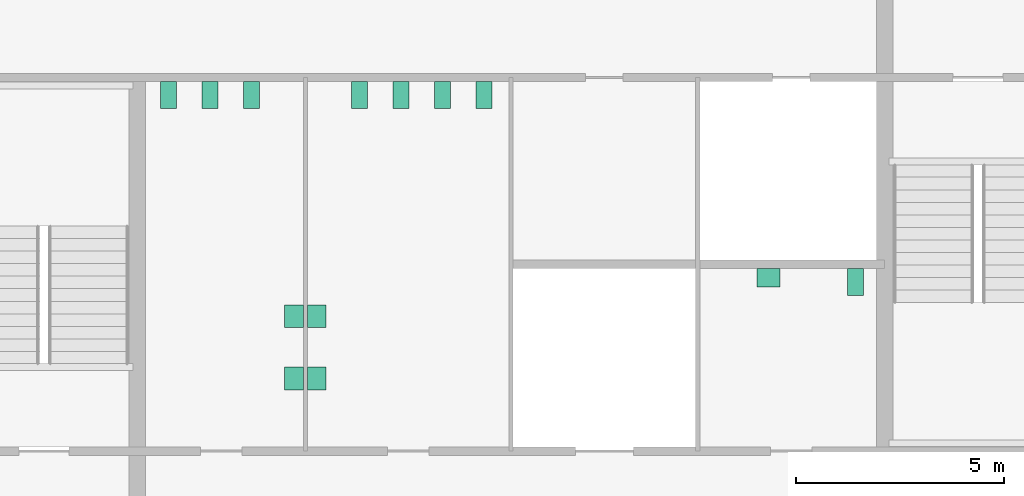
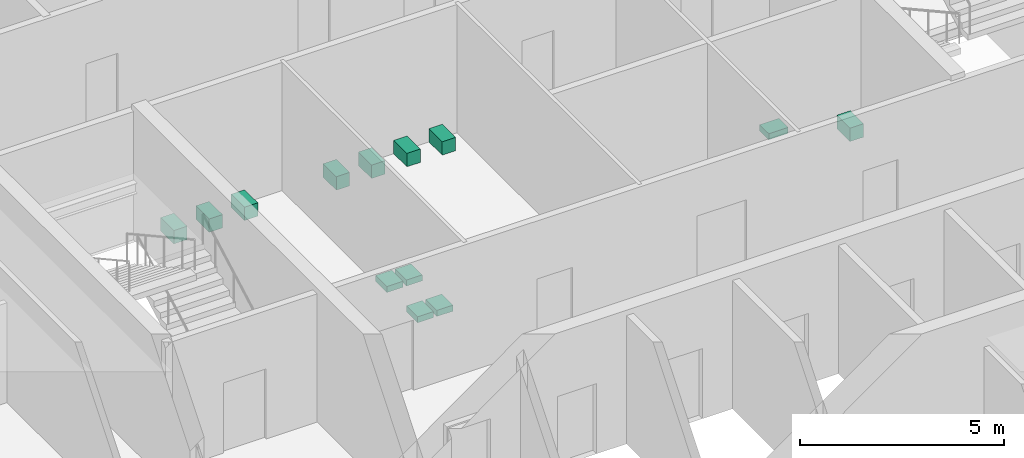
# One storey, part 14 of 14: 13 sanitary terminals.
"""IFC4 building model written with IfcOpenShell, lengths in metres."""

import ifcopenshell
import ifcopenshell.guid

model = None  # the IFC model being written
_history = None  # IfcOwnerHistory: only IFC2X3 demands one
_inside = {}  # id of a spatial element -> (the spatial element, [elements in it])
_under = {}  # id of a project, library or spatial element -> (it, [spatial elements below it])
_declared = {}  # id of a project -> (the project, [libraries it declares])
_typed = {}  # id of a type object -> (the type object, [elements of that type])
_made_of = {}  # id of a material, layer set ... -> (it, [elements and type objects made of it])


def new_model(schema):
    """Start an empty IFC model of exactly this schema.

    Asked for "IFC4X3", IfcOpenShell would pick the latest addendum, in which some entities
    have other attributes; the version numbers below select the first issue.
    IFC2X3 requires an IfcOwnerHistory on every rooted entity: one is made here for all.
    """
    global model, _history
    if schema == "IFC4X3":
        model = ifcopenshell.file(schema_version=(4, 3, 0, 0))
    else:
        model = ifcopenshell.file(schema=schema)
    _inside.clear()
    _under.clear()
    _declared.clear()
    _typed.clear()
    _made_of.clear()
    _history = None
    if model.schema == "IFC2X3":
        org = make("IfcOrganization", Name="unknown")
        user = make(
            "IfcPersonAndOrganization",
            ThePerson=make("IfcPerson", FamilyName="unknown"),
            TheOrganization=org,
        )
        app = make(
            "IfcApplication",
            ApplicationDeveloper=org,
            Version="unknown",
            ApplicationFullName="unknown",
            ApplicationIdentifier="unknown",
        )
        _history = make(
            "IfcOwnerHistory",
            OwningUser=user,
            OwningApplication=app,
            ChangeAction="ADDED",
            CreationDate=0,
        )
    return model


def make(cls, **values):
    """One entity of the class cls with the attributes given. An attribute that is None is left unset."""
    return model.create_entity(
        cls, **{name: value for name, value in values.items() if value is not None}
    )


def rooted(cls, **values):
    """An entity with a GlobalId (a new one), such as an element, a storey or a relation."""
    return make(cls, GlobalId=ifcopenshell.guid.new(), OwnerHistory=_history, **values)


def si_unit(unit_type, name, prefix=None):
    """IfcSIUnit, for example si_unit("LENGTHUNIT", "METRE", prefix="MILLI")."""
    return make("IfcSIUnit", UnitType=unit_type, Prefix=prefix, Name=name)


def assignment(units):
    """IfcUnitAssignment: the units of a project."""
    return None if units is None else make("IfcUnitAssignment", Units=units)


def point(xyz):
    """IfcCartesianPoint."""
    return None if xyz is None else make("IfcCartesianPoint", Coordinates=xyz)


def direction(xyz):
    """IfcDirection."""
    return None if xyz is None else make("IfcDirection", DirectionRatios=xyz)


def frame(location, z_axis=None, x_axis=None):
    """IfcAxis2Placement3D, a coordinate frame: its origin and axes. An axis left out is left unset."""
    return make(
        "IfcAxis2Placement3D",
        Location=point(location),
        Axis=direction(z_axis),
        RefDirection=direction(x_axis),
    )


def frame_2d(location, x_axis=None):
    """IfcAxis2Placement2D, a coordinate frame in the plane: its origin and x axis."""
    return make(
        "IfcAxis2Placement2D", Location=point(location), RefDirection=direction(x_axis)
    )


def origin():
    """The frame at (0, 0, 0) with its axes left unset."""
    return frame((0.0, 0.0, 0.0))


def origin_2d():
    """The frame at (0, 0) in the plane with its x axis left unset."""
    return frame_2d((0.0, 0.0))


def place(relative_to, where):
    """IfcLocalPlacement: puts the frame where relative to a parent placement (None: the world)."""
    return make(
        "IfcLocalPlacement", PlacementRelTo=relative_to, RelativePlacement=where
    )


def context(
    kind, dimensions, precision=None, world=None, true_north=None, identifier=None
):
    """IfcGeometricRepresentationContext, for example the 3D "Model" context."""
    return make(
        "IfcGeometricRepresentationContext",
        ContextIdentifier=identifier,
        ContextType=kind,
        CoordinateSpaceDimension=dimensions,
        Precision=precision,
        WorldCoordinateSystem=world,
        TrueNorth=true_north,
    )


def subcontext(parent, identifier, kind, view, scale=None):
    """IfcGeometricRepresentationSubContext, for example "Body" below "Model"."""
    return make(
        "IfcGeometricRepresentationSubContext",
        ContextIdentifier=identifier,
        ContextType=kind,
        ParentContext=parent,
        TargetScale=scale,
        TargetView=view,
    )


def project(units=None, contexts=None):
    """IfcProject with its units and contexts."""
    return rooted(
        "IfcProject",
        Name="project",
        RepresentationContexts=contexts,
        UnitsInContext=assignment(units),
    )


def spatial(cls, under=None, at=None, **own):
    """A site, building, storey or space (cls), placed at a placement, below another one or the project."""
    s = rooted(cls, ObjectPlacement=at, **own)
    if under is not None:
        _under.setdefault(under.id(), (under, []))[1].append(s)
    return s


def profile(cls, at=None, kind="AREA", **sizes):
    """A parametric profile (cls). Its sizes go by their IFC names, for example OverallWidth=200.0."""
    return make(cls, ProfileType=kind, Position=at, **sizes)


def rectangle(**sizes):
    """IfcRectangleProfileDef."""
    return profile("IfcRectangleProfileDef", **sizes)


def extrude(swept, where, along, depth):
    """IfcExtrudedAreaSolid: the profile swept, set in the frame where, extruded along a direction by depth."""
    return make(
        "IfcExtrudedAreaSolid",
        SweptArea=swept,
        Position=where,
        ExtrudedDirection=direction(along),
        Depth=depth,
    )


def shape(context_of_items, identifier, shape_type, items):
    """IfcShapeRepresentation: the items that make up one representation, for example the "Body"."""
    return make(
        "IfcShapeRepresentation",
        ContextOfItems=context_of_items,
        RepresentationIdentifier=identifier,
        RepresentationType=shape_type,
        Items=items,
    )


def material(Name=None, Category=None):
    """IfcMaterial."""
    return make("IfcMaterial", Name=Name, Category=Category)


def made_of(thing, what):
    """Note that an element or type object is made of a material, layer set ...; save() writes the relation."""
    if what is not None:
        _made_of.setdefault(what.id(), (what, []))[1].append(thing)
    return thing


def type_object(cls, material=None, **own):
    """A type object (cls), such as IfcWallType, which elements share."""
    return made_of(rooted(cls, **own), material)


def element(
    cls,
    number,
    at=None,
    inside=None,
    cuts=None,
    type_object=None,
    material=None,
    context=None,
    identifier="Body",
    shape_type=None,
    held_by="IfcProductDefinitionShape",
    body=None,
    shapes=None,
    **own,
):
    """One element of the class cls, such as IfcWall. Its Tag is "e" and its number.

    at: its placement. inside: the storey or other place that contains it. cuts: it is an
    opening in that element (IfcRelVoidsElement). A single representation is given by context,
    identifier, shape_type and body (its items); several are given by shapes. held_by: the class
    of the entity that holds the representations. save() writes the other relations.
    """
    e = rooted(cls, Tag="e%d" % number, ObjectPlacement=at, **own)
    if body is not None:
        shapes = [shape(context, identifier, shape_type, body)]
    if shapes is not None:
        e.Representation = make(held_by, Representations=shapes)
    if inside is not None:
        _inside.setdefault(inside.id(), (inside, []))[1].append(e)
    if cuts is not None:
        rooted(
            "IfcRelVoidsElement", RelatingBuildingElement=cuts, RelatedOpeningElement=e
        )
    if type_object is not None:
        _typed.setdefault(type_object.id(), (type_object, []))[1].append(e)
    return made_of(e, material)


def aggregate(whole, parts):
    """IfcRelAggregates: a whole, such as a stair, and the parts it consists of."""
    return rooted("IfcRelAggregates", RelatingObject=whole, RelatedObjects=parts)


def save(model, path):
    """Write the relations noted so far, then the file.

    IfcRelAggregates (storeys below a building ...), IfcRelContainedInSpatialStructure (elements
    in a storey), IfcRelDefinesByType, IfcRelAssociatesMaterial and IfcRelDeclares: one each for
    every whole, place, type object, material and project.
    """
    for whole, parts in _under.values():
        aggregate(whole, parts)
    for where, things in _inside.values():
        rooted(
            "IfcRelContainedInSpatialStructure",
            RelatedElements=things,
            RelatingStructure=where,
        )
    for kind, things in _typed.values():
        rooted("IfcRelDefinesByType", RelatedObjects=things, RelatingType=kind)
    for what, things in _made_of.values():
        rooted("IfcRelAssociatesMaterial", RelatedObjects=things, RelatingMaterial=what)
    for by, libraries in _declared.values():
        rooted("IfcRelDeclares", RelatingContext=by, RelatedDefinitions=libraries)
    model.write(path)


model = new_model("IFC4")

# Units and contexts
model_context = context("Model", 3, precision=1e-05, world=origin(), true_north=direction((0.0, 1.0)))
body_context = subcontext(model_context, "Body", "Model", "MODEL_VIEW")
ifc_project = project(units=[si_unit("LENGTHUNIT", "METRE"), si_unit("AREAUNIT", "SQUARE_METRE"), si_unit("VOLUMEUNIT", "CUBIC_METRE"), si_unit("PLANEANGLEUNIT", "RADIAN"), si_unit("MASSUNIT", "GRAM", prefix="KILO")], contexts=[model_context])

# Site, building, storey
site_placement = place(None, origin())
site = spatial("IfcSite", under=ifc_project, at=site_placement, CompositionType="ELEMENT")
building_placement = place(site_placement, origin())
building = spatial("IfcBuilding", under=site, at=building_placement, Name="Corais Broadcast Tower", CompositionType="ELEMENT")
storey_placement = place(building_placement, frame((0.0, 0.0, 262.60009765625)))
storey = spatial("IfcBuildingStorey", under=building, at=storey_placement, Name="L61", CompositionType="ELEMENT", Elevation=262.60009765625)

# Sanitary terminals
ifc_material_1 = material(Name="Vitreous china", Category="ceramic")
sanitary_terminal_type_1 = type_object("IfcSanitaryTerminalType", Name="WC pan 380x650", PredefinedType="TOILETPAN", material=ifc_material_1)
for number, where, z_axis, x_axis, name in (
    (1, (18.75, 31.074951171875, 0.0), (0.0, 0.0, 1.0), (1.0, 0.0, 0.0), "SW1 WC pan, male toilets L61"),
    (2, (19.75, 31.074951171875, 0.0), (0.0, 0.0, 1.0), (1.0, 0.0, 0.0), "SW1 WC pan, male toilets L61"),
    (3, (20.75, 31.074951171875, 0.0), (0.0, 0.0, 1.0), (1.0, 0.0, 0.0), "SW1 WC pan, male toilets L61"),
    (4, (23.35009765625, 31.074951171875, 0.0), (0.0, 0.0, 1.0), (1.0, 0.0, 0.0), "SW1 WC pan, female toilets L61"),
    (5, (24.35009765625, 31.074951171875, 0.0), (0.0, 0.0, 1.0), (1.0, 0.0, 0.0), "SW1 WC pan, female toilets L61"),
    (6, (25.35009765625, 31.074951171875, 0.0), (0.0, 0.0, 1.0), (1.0, 0.0, 0.0), "SW1 WC pan, female toilets L61"),
    (7, (26.35009765625, 31.074951171875, 0.0), (0.0, 0.0, 1.0), (1.0, 0.0, 0.0), "SW1 WC pan, female toilets L61"),
    (8, (35.300048828125, 26.574951171875, 0.0), (0.0, 0.0, 1.0), (1.0, 0.0, 0.0), "SW1 WC pan, accessible WC L61"),
):
    element("IfcSanitaryTerminal", number, at=place(storey_placement, frame(where, z_axis=z_axis, x_axis=x_axis)), inside=storey, type_object=sanitary_terminal_type_1, Name=name, PredefinedType="TOILETPAN", context=body_context, shape_type="SweptSolid", body=[
        extrude(rectangle(XDim=0.3798828125, YDim=0.64990234375, at=origin_2d()), origin(), (0.0, 0.0, 1.0), 0.39990234375),
    ])
ifc_material_2 = material(Name="Vitreous china", Category="ceramic")
sanitary_terminal_type_2 = type_object("IfcSanitaryTerminalType", Name="Wash basin 550x450", PredefinedType="WASHHANDBASIN", material=ifc_material_2)
for number, where, z_axis, x_axis, name in (
    (9, (21.77490234375, 24.25, 0.69970703125), (0.0, 0.0, 1.0), (1.0, 0.0, 0.0), "WB1 wash basin, male toilets L61"),
    (10, (21.77490234375, 25.75, 0.69970703125), (0.0, 0.0, 1.0), (1.0, 0.0, 0.0), "WB1 wash basin, male toilets L61"),
    (11, (22.324951171875, 24.25, 0.69970703125), (0.0, 0.0, 1.0), (1.0, 0.0, 0.0), "WB1 wash basin, female toilets L61"),
    (12, (22.324951171875, 25.75, 0.69970703125), (0.0, 0.0, 1.0), (1.0, 0.0, 0.0), "WB1 wash basin, female toilets L61"),
):
    element("IfcSanitaryTerminal", number, at=place(storey_placement, frame(where, z_axis=z_axis, x_axis=x_axis)), inside=storey, type_object=sanitary_terminal_type_2, Name=name, PredefinedType="WASHHANDBASIN", context=body_context, shape_type="SweptSolid", body=[
        extrude(rectangle(XDim=0.449951171875, YDim=0.550048828125, at=origin_2d()), origin(), (0.0, 0.0, 1.0), 0.179931640625),
    ])
sanitary_terminal_placement = place(storey_placement, frame((33.199951171875, 26.675048828125, 0.69970703125), z_axis=(0.0, 0.0, 1.0), x_axis=(1.0, 0.0, 0.0)))
element("IfcSanitaryTerminal", 13, at=sanitary_terminal_placement, inside=storey, type_object=sanitary_terminal_type_2, Name="WB1 wash basin, accessible WC L61", PredefinedType="WASHHANDBASIN", context=body_context, shape_type="SweptSolid", body=[
    extrude(rectangle(XDim=0.550048828125, YDim=0.449951171875, at=origin_2d()), origin(), (0.0, 0.0, 1.0), 0.179931640625),
])

save(model, "model.ifc")
